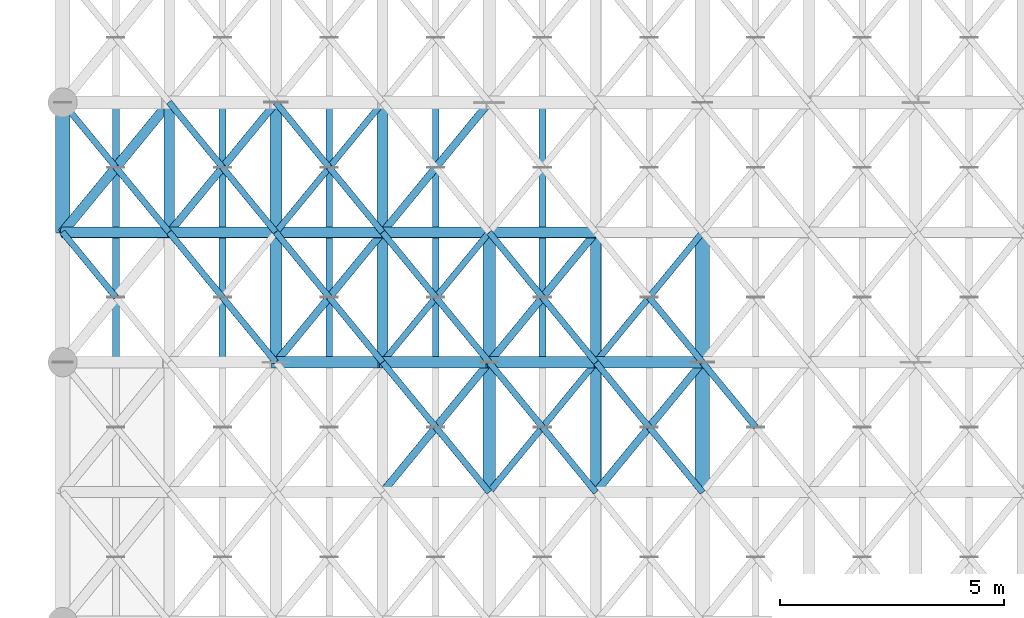
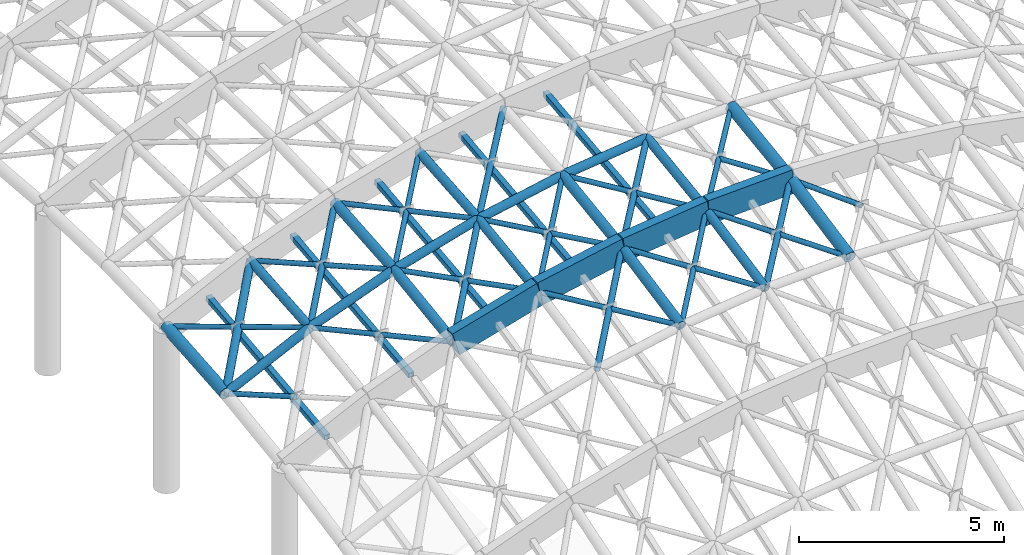
# One storey, part 38 of 146: 56 members, 4 beams.
"""IFC4 building model written with IfcOpenShell, lengths in metres."""

from ifc_helpers import new_model, si_unit, direction, frame, origin, origin_2d, place, context, subcontext, project, spatial, rectangle, hollow_rectangle, hollow_circle, extrude, material, material_profile, profile_set, type_object, element, save


model = new_model("IFC4")

# Units and contexts
model_context = context("Model", 3, precision=1e-05, world=origin(), true_north=direction((0.0, 1.0)))
body_context = subcontext(model_context, "Body", "Model", "MODEL_VIEW")
ifc_project = project(units=[si_unit("LENGTHUNIT", "METRE"), si_unit("AREAUNIT", "SQUARE_METRE"), si_unit("VOLUMEUNIT", "CUBIC_METRE"), si_unit("PLANEANGLEUNIT", "RADIAN"), si_unit("MASSUNIT", "GRAM", prefix="KILO")], contexts=[model_context])

# Site, building, storey
site_placement = place(None, origin())
site = spatial("IfcSite", under=ifc_project, at=site_placement, CompositionType="ELEMENT")
building_placement = place(site_placement, origin())
building = spatial("IfcBuilding", under=site, at=building_placement, Name="Valcora Specialist Clinic", CompositionType="ELEMENT")
storey_placement = place(building_placement, frame((0.0, 0.0, 9.52001953125)))
storey = spatial("IfcBuildingStorey", under=building, at=storey_placement, Name="L02", CompositionType="ELEMENT", Elevation=9.52001953125)

# Beams
ifc_material_1 = material(Name="Glulam Conifer Class 24F", Category="wood")
ifc_material_profile_1 = material_profile(ifc_material_1, rectangle(XDim=0.260009765625, YDim=0.719970703125, at=origin_2d()), Name="GL-ARC-260X720")
ifc_profile_set_1 = profile_set([ifc_material_profile_1], Name="Glulam Conifer Class 24F")
beam_type = type_object("IfcBeamType", Name="TY-AR-GL720", PredefinedType="JOIST", material=ifc_profile_set_1)
beam_1_placement = place(storey_placement, frame((5.5, 50.321044921875, 6.143798828125), z_axis=(0.961639501517, 0.0, 0.274316366849), x_axis=(0.0, 1.0, 0.0)))
element("IfcBeam", 1, at=beam_1_placement, inside=storey, type_object=beam_type, Name="Gridshell glulam arch chord BM-GSA-027", PredefinedType="JOIST", context=body_context, shape_type="SweptSolid", body=[
    extrude(rectangle(XDim=0.260009765625, YDim=0.719970703125, at=origin_2d()), origin(), (0.0, 0.0, 1.0), 2.4697265625),
])
beam_2_placement = place(storey_placement, frame((7.875, 50.321044921875, 6.8212890625), z_axis=(0.980592304853, 0.0, 0.19605798036), x_axis=(0.0, 1.0, 0.0)))
element("IfcBeam", 2, at=beam_2_placement, inside=storey, type_object=beam_type, Name="Gridshell glulam arch chord BM-GSA-028", PredefinedType="JOIST", context=body_context, shape_type="SweptSolid", body=[
    extrude(rectangle(XDim=0.260009765625, YDim=0.719970703125, at=origin_2d()), origin(), (0.0, 0.0, 1.0), 2.422119140625),
])
beam_3_placement = place(storey_placement, frame((10.25, 50.321044921875, 7.296142578125), z_axis=(0.993061123194, 0.0, 0.117599343536), x_axis=(0.0, 1.0, 0.0)))
element("IfcBeam", 3, at=beam_3_placement, inside=storey, type_object=beam_type, Name="Gridshell glulam arch chord BM-GSA-029", PredefinedType="JOIST", context=body_context, shape_type="SweptSolid", body=[
    extrude(rectangle(XDim=0.260009765625, YDim=0.719970703125, at=origin_2d()), origin(), (0.0, 0.0, 1.0), 2.3916015625),
])
beam_4_placement = place(storey_placement, frame((12.625, 50.321044921875, 7.577392578125), z_axis=(0.999229898969, 0.0, 0.039237851707), x_axis=(0.0, 1.0, 0.0)))
element("IfcBeam", 4, at=beam_4_placement, inside=storey, type_object=beam_type, Name="Gridshell glulam arch chord BM-GSA-030", PredefinedType="JOIST", context=body_context, shape_type="SweptSolid", body=[
    extrude(rectangle(XDim=0.260009765625, YDim=0.719970703125, at=origin_2d()), origin(), (0.0, 0.0, 1.0), 2.376708984375),
])

# Members
ifc_material_2 = material(Name="Steel ASTM A500 Grade C", Category="steel")
ifc_material_profile_2 = material_profile(ifc_material_2, hollow_circle(Radius=0.1220703125, WallThickness=0.010009765625, at=origin_2d()), Name="ST-CHS-244X10")
ifc_profile_set_2 = profile_set([ifc_material_profile_2], Name="Steel ASTM A500 Grade C")
member_type_1 = type_object("IfcMemberType", Name="TY-MB-GSC244", PredefinedType="CHORD", material=ifc_profile_set_2)
member_1_placement = place(storey_placement, frame((3.125, 53.214111328125, 5.654541015625), z_axis=(0.0, 0.99650678891, 0.083511793517), x_axis=(-1.0, 0.0, 0.0)))
element("IfcMember", 5, at=member_1_placement, inside=storey, type_object=member_type_1, Name="Gridshell longitudinal chord MB-L02-0020", PredefinedType="CHORD", context=body_context, shape_type="SweptSolid", body=[
    extrude(hollow_circle(Radius=0.1220703125, WallThickness=0.010009765625, at=origin_2d()), origin(), (0.0, 0.0, 1.0), 2.903076171875),
])
member_2_placement = place(storey_placement, frame((7.875, 50.321044921875, 6.8212890625), z_axis=(0.0, 0.990272777431, 0.139139592778), x_axis=(-1.0, 0.0, 0.0)))
element("IfcMember", 6, at=member_2_placement, inside=storey, type_object=member_type_1, Name="Gridshell longitudinal chord MB-L02-0047", PredefinedType="CHORD", context=body_context, shape_type="SweptSolid", body=[
    extrude(hollow_circle(Radius=0.1220703125, WallThickness=0.010009765625, at=origin_2d()), origin(), (0.0, 0.0, 1.0), 2.92138671875),
])
member_3_placement = place(storey_placement, frame((7.875, 53.214111328125, 7.227783203125), z_axis=(0.0, 0.99650678891, 0.083511793517), x_axis=(-1.0, 0.0, 0.0)))
element("IfcMember", 7, at=member_3_placement, inside=storey, type_object=member_type_1, Name="Gridshell longitudinal chord MB-L02-0048", PredefinedType="CHORD", context=body_context, shape_type="SweptSolid", body=[
    extrude(hollow_circle(Radius=0.1220703125, WallThickness=0.010009765625, at=origin_2d()), origin(), (0.0, 0.0, 1.0), 2.903076171875),
])
member_4_placement = place(storey_placement, frame((12.625, 47.428955078125, 7.003173828125), z_axis=(0.0, 0.980853597768, 0.194746552587), x_axis=(-1.0, 0.0, 0.0)))
element("IfcMember", 8, at=member_4_placement, inside=storey, type_object=member_type_1, Name="Gridshell longitudinal chord MB-L02-0074", PredefinedType="CHORD", context=body_context, shape_type="SweptSolid", body=[
    extrude(hollow_circle(Radius=0.1220703125, WallThickness=0.010009765625, at=origin_2d()), origin(), (0.0, 0.0, 1.0), 2.948486328125),
])
member_5_placement = place(storey_placement, frame((12.625, 50.321044921875, 7.577392578125), z_axis=(0.0, 0.990272777431, 0.139139592778), x_axis=(-1.0, 0.0, 0.0)))
element("IfcMember", 9, at=member_5_placement, inside=storey, type_object=member_type_1, Name="Gridshell longitudinal chord MB-L02-0075", PredefinedType="CHORD", context=body_context, shape_type="SweptSolid", body=[
    extrude(hollow_circle(Radius=0.1220703125, WallThickness=0.010009765625, at=origin_2d()), origin(), (0.0, 0.0, 1.0), 2.92138671875),
])
member_6_placement = place(storey_placement, frame((0.75, 53.214111328125, 4.519287109375), z_axis=(0.902225234529, 0.0, 0.431265146028), x_axis=(0.0, 1.0, 0.0)))
element("IfcMember", 10, at=member_6_placement, inside=storey, type_object=member_type_1, Name="Gridshell secondary transverse chord MB-L02-0291", PredefinedType="CHORD", context=body_context, shape_type="SweptSolid", body=[
    extrude(hollow_circle(Radius=0.1220703125, WallThickness=0.010009765625, at=origin_2d()), origin(), (0.0, 0.0, 1.0), 2.63232421875),
])
member_7_placement = place(storey_placement, frame((3.125, 53.214111328125, 5.654541015625), z_axis=(0.935695204238, 0.0, 0.352809417059), x_axis=(0.0, 1.0, 0.0)))
element("IfcMember", 11, at=member_7_placement, inside=storey, type_object=member_type_1, Name="Gridshell secondary transverse chord MB-L02-0292", PredefinedType="CHORD", context=body_context, shape_type="SweptSolid", body=[
    extrude(hollow_circle(Radius=0.1220703125, WallThickness=0.010009765625, at=origin_2d()), origin(), (0.0, 0.0, 1.0), 2.538330078125),
])
member_8_placement = place(storey_placement, frame((5.5, 53.214111328125, 6.550048828125), z_axis=(0.961613421173, 0.0, 0.274407777259), x_axis=(0.0, 1.0, 0.0)))
element("IfcMember", 12, at=member_8_placement, inside=storey, type_object=member_type_1, Name="Gridshell secondary transverse chord MB-L02-0293", PredefinedType="CHORD", context=body_context, shape_type="SweptSolid", body=[
    extrude(hollow_circle(Radius=0.1220703125, WallThickness=0.010009765625, at=origin_2d()), origin(), (0.0, 0.0, 1.0), 2.4697265625),
])
member_9_placement = place(storey_placement, frame((7.875, 53.214111328125, 7.227783203125), z_axis=(0.980592304853, 0.0, 0.19605798036), x_axis=(0.0, 1.0, 0.0)))
element("IfcMember", 13, at=member_9_placement, inside=storey, type_object=member_type_1, Name="Gridshell secondary transverse chord MB-L02-0294", PredefinedType="CHORD", context=body_context, shape_type="SweptSolid", body=[
    extrude(hollow_circle(Radius=0.1220703125, WallThickness=0.010009765625, at=origin_2d()), origin(), (0.0, 0.0, 1.0), 2.422119140625),
])
member_10_placement = place(storey_placement, frame((10.25, 53.214111328125, 7.70263671875), z_axis=(0.993061123194, 0.0, 0.117599343536), x_axis=(0.0, 1.0, 0.0)))
element("IfcMember", 14, at=member_10_placement, inside=storey, type_object=member_type_1, Name="Gridshell secondary transverse chord MB-L02-0295", PredefinedType="CHORD", context=body_context, shape_type="SweptSolid", body=[
    extrude(hollow_circle(Radius=0.1220703125, WallThickness=0.010009765625, at=origin_2d()), origin(), (0.0, 0.0, 1.0), 2.3916015625),
])
ifc_material_profile_3 = material_profile(ifc_material_2, hollow_circle(Radius=0.136474609375, WallThickness=0.011962890625, at=origin_2d()), Name="ST-CHS-273X12")
ifc_profile_set_3 = profile_set([ifc_material_profile_3], Name="Steel ASTM A500 Grade C")
member_type_2 = type_object("IfcMemberType", Name="TY-MB-GSC273", PredefinedType="CHORD", material=ifc_profile_set_3)
member_11_placement = place(storey_placement, frame((5.5, 50.321044921875, 6.143798828125), z_axis=(0.0, 0.990284288594, 0.139057641875), x_axis=(-1.0, 0.0, 0.0)))
element("IfcMember", 15, at=member_11_placement, inside=storey, type_object=member_type_2, Name="Gridshell longitudinal chord MB-L02-0033", PredefinedType="CHORD", context=body_context, shape_type="SweptSolid", body=[
    extrude(hollow_circle(Radius=0.136474609375, WallThickness=0.011962890625, at=origin_2d()), origin(), (0.0, 0.0, 1.0), 2.92138671875),
])
member_12_placement = place(storey_placement, frame((5.5, 53.214111328125, 6.550048828125), z_axis=(0.0, 0.99650678891, 0.083511793517), x_axis=(-1.0, 0.0, 0.0)))
element("IfcMember", 16, at=member_12_placement, inside=storey, type_object=member_type_2, Name="Gridshell longitudinal chord MB-L02-0034", PredefinedType="CHORD", context=body_context, shape_type="SweptSolid", body=[
    extrude(hollow_circle(Radius=0.136474609375, WallThickness=0.011962890625, at=origin_2d()), origin(), (0.0, 0.0, 1.0), 2.903076171875),
])
member_13_placement = place(storey_placement, frame((10.25, 47.428955078125, 6.7216796875), z_axis=(0.0, 0.980837778433, 0.194826210759), x_axis=(-1.0, 0.0, 0.0)))
element("IfcMember", 17, at=member_13_placement, inside=storey, type_object=member_type_2, Name="Gridshell longitudinal chord MB-L02-0060", PredefinedType="CHORD", context=body_context, shape_type="SweptSolid", body=[
    extrude(hollow_circle(Radius=0.136474609375, WallThickness=0.011962890625, at=origin_2d()), origin(), (0.0, 0.0, 1.0), 2.948486328125),
])
member_14_placement = place(storey_placement, frame((10.25, 50.321044921875, 7.296142578125), z_axis=(0.0, 0.990272777431, 0.139139592778), x_axis=(-1.0, 0.0, 0.0)))
element("IfcMember", 18, at=member_14_placement, inside=storey, type_object=member_type_2, Name="Gridshell longitudinal chord MB-L02-0061", PredefinedType="CHORD", context=body_context, shape_type="SweptSolid", body=[
    extrude(hollow_circle(Radius=0.136474609375, WallThickness=0.011962890625, at=origin_2d()), origin(), (0.0, 0.0, 1.0), 2.92138671875),
])
ifc_material_profile_4 = material_profile(ifc_material_2, hollow_circle(Radius=0.162109375, WallThickness=0.011962890625, at=origin_2d()), Name="ST-CHS-324X12")
ifc_profile_set_4 = profile_set([ifc_material_profile_4], Name="Steel ASTM A500 Grade C")
member_type_3 = type_object("IfcMemberType", Name="TY-MB-GSC324", PredefinedType="CHORD", material=ifc_profile_set_4)
member_15_placement = place(storey_placement, frame((0.75, 53.214111328125, 4.519287109375), z_axis=(0.0, 0.996513784309, 0.083428278676), x_axis=(-1.0, 0.0, 0.0)))
element("IfcMember", 19, at=member_15_placement, inside=storey, type_object=member_type_3, Name="Gridshell longitudinal chord MB-L02-0006", PredefinedType="CHORD", context=body_context, shape_type="SweptSolid", body=[
    extrude(hollow_circle(Radius=0.162109375, WallThickness=0.011962890625, at=origin_2d()), origin(), (0.0, 0.0, 1.0), 2.90283203125),
])
member_16_placement = place(storey_placement, frame((15.0, 47.428955078125, 7.09619140625), z_axis=(0.0, 0.980837778433, 0.194826210759), x_axis=(-1.0, 0.0, 0.0)))
element("IfcMember", 20, at=member_16_placement, inside=storey, type_object=member_type_3, Name="Gridshell longitudinal chord MB-L02-0088", PredefinedType="CHORD", context=body_context, shape_type="SweptSolid", body=[
    extrude(hollow_circle(Radius=0.162109375, WallThickness=0.011962890625, at=origin_2d()), origin(), (0.0, 0.0, 1.0), 2.948486328125),
])
member_17_placement = place(storey_placement, frame((15.0, 50.321044921875, 7.670654296875), z_axis=(0.0, 0.990272777431, 0.139139592778), x_axis=(-1.0, 0.0, 0.0)))
element("IfcMember", 21, at=member_17_placement, inside=storey, type_object=member_type_3, Name="Gridshell longitudinal chord MB-L02-0089", PredefinedType="CHORD", context=body_context, shape_type="SweptSolid", body=[
    extrude(hollow_circle(Radius=0.162109375, WallThickness=0.011962890625, at=origin_2d()), origin(), (0.0, 0.0, 1.0), 2.92138671875),
])
ifc_material_profile_5 = material_profile(ifc_material_2, hollow_circle(Radius=0.070068359375, WallThickness=0.006103515625, at=origin_2d()), Name="ST-CHS-140X6")
ifc_profile_set_5 = profile_set([ifc_material_profile_5], Name="Steel ASTM A500 Grade C")
member_type_4 = type_object("IfcMemberType", Name="TY-MB-GSD140", PredefinedType="BRACE", material=ifc_profile_set_5)
member_18_placement = place(storey_placement, frame((3.125, 53.214111328125, 5.654541015625), z_axis=(-0.617243411204, 0.751757805916, -0.232100781063), x_axis=(-0.772863356881, -0.634572479384, 0.0)))
element("IfcMember", 22, at=member_18_placement, inside=storey, type_object=member_type_4, Name="Gridshell split counter diagrid A MB-L02-0362", PredefinedType="BRACE", context=body_context, shape_type="SweptSolid", body=[
    extrude(hollow_circle(Radius=0.070068359375, WallThickness=0.006103515625, at=origin_2d()), origin(), (0.0, 0.0, 1.0), 1.923828125),
])
member_19_placement = place(storey_placement, frame((5.5, 50.321044921875, 6.143798828125), z_axis=(-0.629156590735, 0.766396546074, -0.129608327285), x_axis=(-0.772915884105, -0.634508499626, 0.0)))
element("IfcMember", 23, at=member_19_placement, inside=storey, type_object=member_type_4, Name="Gridshell split counter diagrid A MB-L02-0388", PredefinedType="BRACE", context=body_context, shape_type="SweptSolid", body=[
    extrude(hollow_circle(Radius=0.070068359375, WallThickness=0.006103515625, at=origin_2d()), origin(), (0.0, 0.0, 1.0), 1.887451171875),
])
member_20_placement = place(storey_placement, frame((5.5, 53.214111328125, 6.550048828125), z_axis=(-0.625119913311, 0.761350815472, -0.171959384048), x_axis=(-0.772863356881, -0.634572479384, 0.0)))
element("IfcMember", 24, at=member_20_placement, inside=storey, type_object=member_type_4, Name="Gridshell split counter diagrid A MB-L02-0390", PredefinedType="BRACE", context=body_context, shape_type="SweptSolid", body=[
    extrude(hollow_circle(Radius=0.070068359375, WallThickness=0.006103515625, at=origin_2d()), origin(), (0.0, 0.0, 1.0), 1.899658203125),
])
member_21_placement = place(storey_placement, frame((7.875, 50.321044921875, 6.8212890625), z_axis=(-0.63285205119, 0.770898109231, -0.072210708966), x_axis=(-0.772915884105, -0.634508499626, 0.0)))
element("IfcMember", 25, at=member_21_placement, inside=storey, type_object=member_type_4, Name="Gridshell split counter diagrid A MB-L02-0416", PredefinedType="BRACE", context=body_context, shape_type="SweptSolid", body=[
    extrude(hollow_circle(Radius=0.070068359375, WallThickness=0.006103515625, at=origin_2d()), origin(), (0.0, 0.0, 1.0), 1.87646484375),
])
member_22_placement = place(storey_placement, frame((5.5, 53.214111328125, 6.550048828125), z_axis=(0.616192355178, 0.750541037881, 0.238736532346), x_axis=(-0.772889622479, 0.634540488436, 0.0)))
element("IfcMember", 26, at=member_22_placement, inside=storey, type_object=member_type_4, Name="Gridshell primary diagrid MB-L02-0417", PredefinedType="BRACE", context=body_context, shape_type="SweptSolid", body=[
    extrude(hollow_circle(Radius=0.070068359375, WallThickness=0.006103515625, at=origin_2d()), origin(), (0.0, 0.0, 1.0), 3.854248046875),
])
member_23_placement = place(storey_placement, frame((7.875, 53.214111328125, 7.227783203125), z_axis=(-0.630328162974, 0.767694086648, -0.115465130183), x_axis=(-0.772863356881, -0.634572479384, 0.0)))
element("IfcMember", 27, at=member_23_placement, inside=storey, type_object=member_type_4, Name="Gridshell split counter diagrid A MB-L02-0418", PredefinedType="BRACE", context=body_context, shape_type="SweptSolid", body=[
    extrude(hollow_circle(Radius=0.070068359375, WallThickness=0.006103515625, at=origin_2d()), origin(), (0.0, 0.0, 1.0), 1.884033203125),
])
member_24_placement = place(storey_placement, frame((10.25, 47.428955078125, 6.7216796875), z_axis=(-0.634411775705, 0.772537201378, 0.026607730724), x_axis=(-0.772810813765, -0.634636467694, 0.0)))
element("IfcMember", 28, at=member_24_placement, inside=storey, type_object=member_type_4, Name="Gridshell split counter diagrid A MB-L02-0442", PredefinedType="BRACE", context=body_context, shape_type="SweptSolid", body=[
    extrude(hollow_circle(Radius=0.070068359375, WallThickness=0.006103515625, at=origin_2d()), origin(), (0.0, 0.0, 1.0), 1.871826171875),
])
member_25_placement = place(storey_placement, frame((7.875, 50.321044921875, 6.8212890625), z_axis=(0.617618322937, 0.752341398726, 0.229194299527), x_axis=(-0.772915884105, 0.634508499626, 0.0)))
element("IfcMember", 29, at=member_25_placement, inside=storey, type_object=member_type_4, Name="Gridshell primary diagrid MB-L02-0443", PredefinedType="BRACE", context=body_context, shape_type="SweptSolid", body=[
    extrude(hollow_circle(Radius=0.070068359375, WallThickness=0.006103515625, at=origin_2d()), origin(), (0.0, 0.0, 1.0), 3.845458984375),
])
member_26_placement = place(storey_placement, frame((10.25, 50.321044921875, 7.296142578125), z_axis=(-0.634402710105, 0.772787018374, -0.018259946426), x_axis=(-0.772915884105, -0.634508499626, 0.0)))
element("IfcMember", 30, at=member_26_placement, inside=storey, type_object=member_type_4, Name="Gridshell split counter diagrid A MB-L02-0444", PredefinedType="BRACE", context=body_context, shape_type="SweptSolid", body=[
    extrude(hollow_circle(Radius=0.070068359375, WallThickness=0.006103515625, at=origin_2d()), origin(), (0.0, 0.0, 1.0), 1.871826171875),
])
member_27_placement = place(storey_placement, frame((10.25, 47.428955078125, 6.7216796875), z_axis=(0.618668904494, 0.75336676014, 0.222906508044), x_axis=(-0.772810813765, 0.634636467694, 0.0)))
element("IfcMember", 31, at=member_27_placement, inside=storey, type_object=member_type_4, Name="Gridshell primary diagrid MB-L02-0469", PredefinedType="BRACE", context=body_context, shape_type="SweptSolid", body=[
    extrude(hollow_circle(Radius=0.070068359375, WallThickness=0.006103515625, at=origin_2d()), origin(), (0.0, 0.0, 1.0), 3.8388671875),
])
member_28_placement = place(storey_placement, frame((12.625, 47.428955078125, 7.003173828125), z_axis=(-0.632700626183, 0.770453496892, 0.078046952243), x_axis=(-0.772810813765, -0.634636467694, 0.0)))
element("IfcMember", 32, at=member_28_placement, inside=storey, type_object=member_type_4, Name="Gridshell split counter diagrid A MB-L02-0470", PredefinedType="BRACE", context=body_context, shape_type="SweptSolid", body=[
    extrude(hollow_circle(Radius=0.070068359375, WallThickness=0.006103515625, at=origin_2d()), origin(), (0.0, 0.0, 1.0), 1.876953125),
])
member_29_placement = place(storey_placement, frame((12.625, 50.321044921875, 7.577392578125), z_axis=(-0.634154981193, 0.772485251556, 0.033376577958), x_axis=(-0.772915884105, -0.634508499626, 0.0)))
element("IfcMember", 33, at=member_29_placement, inside=storey, type_object=member_type_4, Name="Gridshell split counter diagrid A MB-L02-0472", PredefinedType="BRACE", context=body_context, shape_type="SweptSolid", body=[
    extrude(hollow_circle(Radius=0.070068359375, WallThickness=0.006103515625, at=origin_2d()), origin(), (0.0, 0.0, 1.0), 1.87255859375),
])
member_30_placement = place(storey_placement, frame((15.0, 47.428955078125, 7.09619140625), z_axis=(-0.629448929236, 0.766493833854, 0.12759799429), x_axis=(-0.772810813765, -0.634636467694, 0.0)))
element("IfcMember", 34, at=member_30_placement, inside=storey, type_object=member_type_4, Name="Gridshell split counter diagrid A MB-L02-0498", PredefinedType="BRACE", context=body_context, shape_type="SweptSolid", body=[
    extrude(hollow_circle(Radius=0.070068359375, WallThickness=0.006103515625, at=origin_2d()), origin(), (0.0, 0.0, 1.0), 1.886474609375),
])
member_31_placement = place(storey_placement, frame((12.625, 50.321044921875, 7.577392578125), z_axis=(0.628927507882, 0.76611749264, 0.132341139868), x_axis=(-0.772915884105, 0.634508499626, 0.0)))
element("IfcMember", 35, at=member_31_placement, inside=storey, type_object=member_type_4, Name="Gridshell primary diagrid MB-L02-0499", PredefinedType="BRACE", context=body_context, shape_type="SweptSolid", body=[
    extrude(hollow_circle(Radius=0.070068359375, WallThickness=0.006103515625, at=origin_2d()), origin(), (0.0, 0.0, 1.0), 3.7763671875),
])
member_32_placement = place(storey_placement, frame((15.0, 50.321044921875, 7.670654296875), z_axis=(-0.632294956399, 0.770219493558, 0.083456694492), x_axis=(-0.772915884105, -0.634508499626, 0.0)))
element("IfcMember", 36, at=member_32_placement, inside=storey, type_object=member_type_4, Name="Gridshell split counter diagrid A MB-L02-0500", PredefinedType="BRACE", context=body_context, shape_type="SweptSolid", body=[
    extrude(hollow_circle(Radius=0.070068359375, WallThickness=0.006103515625, at=origin_2d()), origin(), (0.0, 0.0, 1.0), 1.878173828125),
])
member_33_placement = place(storey_placement, frame((1.9375, 51.767578125, 4.883544921875), z_axis=(-0.622821492509, 0.75867955245, -0.191046395317), x_axis=(-0.772915884105, -0.634508499626, 0.0)))
element("IfcMember", 37, at=member_33_placement, inside=storey, type_object=member_type_4, Name="Gridshell split counter diagrid B 5", PredefinedType="BRACE", context=body_context, shape_type="SweptSolid", body=[
    extrude(hollow_circle(Radius=0.070068359375, WallThickness=0.006103515625, at=origin_2d()), origin(), (0.0, 0.0, 1.0), 1.90673828125),
])
member_34_placement = place(storey_placement, frame((1.9375, 54.660400390625, 5.2080078125), z_axis=(-0.61718453066, 0.751812981941, -0.232078640333), x_axis=(-0.772915884105, -0.634508499626, 0.0)))
element("IfcMember", 38, at=member_34_placement, inside=storey, type_object=member_type_4, Name="Gridshell split counter diagrid B 6", PredefinedType="BRACE", context=body_context, shape_type="SweptSolid", body=[
    extrude(hollow_circle(Radius=0.070068359375, WallThickness=0.006103515625, at=origin_2d()), origin(), (0.0, 0.0, 1.0), 1.924072265625),
])
member_35_placement = place(storey_placement, frame((4.3125, 51.767578125, 5.899169921875), z_axis=(-0.629156590735, 0.766396546074, -0.129608327285), x_axis=(-0.772915884105, -0.634508499626, 0.0)))
element("IfcMember", 39, at=member_35_placement, inside=storey, type_object=member_type_4, Name="Gridshell split counter diagrid B 19", PredefinedType="BRACE", context=body_context, shape_type="SweptSolid", body=[
    extrude(hollow_circle(Radius=0.070068359375, WallThickness=0.006103515625, at=origin_2d()), origin(), (0.0, 0.0, 1.0), 1.887451171875),
])
member_36_placement = place(storey_placement, frame((4.3125, 54.660400390625, 6.223388671875), z_axis=(-0.625072556521, 0.761421648312, -0.171817847054), x_axis=(-0.772915884105, -0.634508499626, 0.0)))
element("IfcMember", 40, at=member_36_placement, inside=storey, type_object=member_type_4, Name="Gridshell split counter diagrid B 20", PredefinedType="BRACE", context=body_context, shape_type="SweptSolid", body=[
    extrude(hollow_circle(Radius=0.070068359375, WallThickness=0.006103515625, at=origin_2d()), origin(), (0.0, 0.0, 1.0), 1.899658203125),
])
member_37_placement = place(storey_placement, frame((6.6875, 51.767578125, 6.685791015625), z_axis=(-0.632846100088, 0.770890859996, -0.072340138086), x_axis=(-0.772915884105, -0.634508499626, 0.0)))
element("IfcMember", 41, at=member_37_placement, inside=storey, type_object=member_type_4, Name="Gridshell split counter diagrid B 33", PredefinedType="BRACE", context=body_context, shape_type="SweptSolid", body=[
    extrude(hollow_circle(Radius=0.070068359375, WallThickness=0.006103515625, at=origin_2d()), origin(), (0.0, 0.0, 1.0), 1.87646484375),
])
member_38_placement = place(storey_placement, frame((6.6875, 54.660400390625, 7.01025390625), z_axis=(-0.630256024321, 0.767735802653, -0.115581491302), x_axis=(-0.772915884105, -0.634508499626, 0.0)))
element("IfcMember", 42, at=member_38_placement, inside=storey, type_object=member_type_4, Name="Gridshell split counter diagrid B 34", PredefinedType="BRACE", context=body_context, shape_type="SweptSolid", body=[
    extrude(hollow_circle(Radius=0.070068359375, WallThickness=0.006103515625, at=origin_2d()), origin(), (0.0, 0.0, 1.0), 1.884033203125),
])
for number, where, z_axis, x_axis, name in (
    (43, (9.0625, 48.875, 6.771484375), (-0.634411775705, 0.772537201378, 0.026607730724), (-0.772810813765, -0.634636467694, 0.0), "Gridshell split counter diagrid B 46"),
    (44, (9.0625, 51.767578125, 7.261962890625), (-0.634402710105, 0.772787018374, -0.018259946426), (-0.772915884105, -0.634508499626, 0.0), "Gridshell split counter diagrid B 47"),
):
    element("IfcMember", number, at=place(storey_placement, frame(where, z_axis=z_axis, x_axis=x_axis)), inside=storey, type_object=member_type_4, Name=name, PredefinedType="BRACE", context=body_context, shape_type="SweptSolid", body=[
        extrude(hollow_circle(Radius=0.070068359375, WallThickness=0.006103515625, at=origin_2d()), origin(), (0.0, 0.0, 1.0), 1.871826171875),
    ])
member_39_placement = place(storey_placement, frame((11.4375, 48.875, 7.149658203125), z_axis=(-0.632700626183, 0.770453496892, 0.078046952243), x_axis=(-0.772810813765, -0.634636467694, 0.0)))
element("IfcMember", 45, at=member_39_placement, inside=storey, type_object=member_type_4, Name="Gridshell split counter diagrid B 60", PredefinedType="BRACE", context=body_context, shape_type="SweptSolid", body=[
    extrude(hollow_circle(Radius=0.070068359375, WallThickness=0.006103515625, at=origin_2d()), origin(), (0.0, 0.0, 1.0), 1.876953125),
])
member_40_placement = place(storey_placement, frame((11.4375, 51.767578125, 7.639892578125), z_axis=(-0.634152216266, 0.772481883507, 0.033506809124), x_axis=(-0.772915884105, -0.634508499626, 0.0)))
element("IfcMember", 46, at=member_40_placement, inside=storey, type_object=member_type_4, Name="Gridshell split counter diagrid B 61", PredefinedType="BRACE", context=body_context, shape_type="SweptSolid", body=[
    extrude(hollow_circle(Radius=0.070068359375, WallThickness=0.006103515625, at=origin_2d()), origin(), (0.0, 0.0, 1.0), 1.87255859375),
])
member_41_placement = place(storey_placement, frame((13.8125, 48.875, 7.3369140625), z_axis=(-0.629459317949, 0.766506484419, 0.127470688359), x_axis=(-0.772810813765, -0.634636467694, 0.0)))
element("IfcMember", 47, at=member_41_placement, inside=storey, type_object=member_type_4, Name="Gridshell split counter diagrid B 74", PredefinedType="BRACE", context=body_context, shape_type="SweptSolid", body=[
    extrude(hollow_circle(Radius=0.070068359375, WallThickness=0.006103515625, at=origin_2d()), origin(), (0.0, 0.0, 1.0), 1.886474609375),
])
member_42_placement = place(storey_placement, frame((16.1875, 48.875, 7.3369140625), z_axis=(-0.624776374395, 0.760803960844, 0.175589906209), x_axis=(-0.772810813765, -0.634636467694, 0.0)))
element("IfcMember", 48, at=member_42_placement, inside=storey, type_object=member_type_4, Name="Gridshell split counter diagrid B 88", PredefinedType="BRACE", context=body_context, shape_type="SweptSolid", body=[
    extrude(hollow_circle(Radius=0.070068359375, WallThickness=0.006103515625, at=origin_2d()), origin(), (0.0, 0.0, 1.0), 1.900634765625),
])
ifc_material_profile_6 = material_profile(ifc_material_2, hollow_circle(Radius=0.083984375, WallThickness=0.008056640625, at=origin_2d()), Name="ST-CHS-168X8")
ifc_profile_set_6 = profile_set([ifc_material_profile_6], Name="Steel ASTM A500 Grade C")
member_type_5 = type_object("IfcMemberType", Name="TY-MB-GSD168", PredefinedType="BRACE", material=ifc_profile_set_6)
member_43_placement = place(storey_placement, frame((3.125, 53.214111328125, 5.654541015625), z_axis=(0.607102216571, 0.739468972466, 0.29088234287), x_axis=(-0.772889622479, 0.634540488436, 0.0)))
element("IfcMember", 49, at=member_43_placement, inside=storey, type_object=member_type_5, Name="Gridshell primary diagrid MB-L02-0389", PredefinedType="BRACE", context=body_context, shape_type="SweptSolid", body=[
    extrude(hollow_circle(Radius=0.083984375, WallThickness=0.008056640625, at=origin_2d()), origin(), (0.0, 0.0, 1.0), 3.912109375),
])
member_44_placement = place(storey_placement, frame((5.5, 50.321044921875, 6.143798828125), z_axis=(0.609465809075, 0.742410550734, 0.278169016477), x_axis=(-0.772915884105, 0.634508499626, 0.0)))
element("IfcMember", 50, at=member_44_placement, inside=storey, type_object=member_type_5, Name="Gridshell primary diagrid MB-L02-0415", PredefinedType="BRACE", context=body_context, shape_type="SweptSolid", body=[
    extrude(hollow_circle(Radius=0.083984375, WallThickness=0.008056640625, at=origin_2d()), origin(), (0.0, 0.0, 1.0), 3.89697265625),
])
member_45_placement = place(storey_placement, frame((7.875, 47.428955078125, 6.2470703125), z_axis=(0.611079979619, 0.744125559063, 0.269922972083), x_axis=(-0.772810813765, 0.634636467694, 0.0)))
element("IfcMember", 51, at=member_45_placement, inside=storey, type_object=member_type_5, Name="Gridshell primary diagrid MB-L02-0441", PredefinedType="BRACE", context=body_context, shape_type="SweptSolid", body=[
    extrude(hollow_circle(Radius=0.083984375, WallThickness=0.008056640625, at=origin_2d()), origin(), (0.0, 0.0, 1.0), 3.886474609375),
])
member_46_placement = place(storey_placement, frame((7.875, 53.214111328125, 7.227783203125), z_axis=(0.623199816396, 0.759076338864, 0.188215569549), x_axis=(-0.772889622479, 0.634540488436, 0.0)))
element("IfcMember", 52, at=member_46_placement, inside=storey, type_object=member_type_5, Name="Gridshell primary diagrid MB-L02-0445", PredefinedType="BRACE", context=body_context, shape_type="SweptSolid", body=[
    extrude(hollow_circle(Radius=0.083984375, WallThickness=0.008056640625, at=origin_2d()), origin(), (0.0, 0.0, 1.0), 3.81103515625),
])
member_47_placement = place(storey_placement, frame((10.25, 50.321044921875, 7.296142578125), z_axis=(0.624061798341, 0.760190410192, 0.18071361903), x_axis=(-0.772915884105, 0.634508499626, 0.0)))
element("IfcMember", 53, at=member_47_placement, inside=storey, type_object=member_type_5, Name="Gridshell primary diagrid MB-L02-0471", PredefinedType="BRACE", context=body_context, shape_type="SweptSolid", body=[
    extrude(hollow_circle(Radius=0.083984375, WallThickness=0.008056640625, at=origin_2d()), origin(), (0.0, 0.0, 1.0), 3.8056640625),
])
member_48_placement = place(storey_placement, frame((12.625, 47.428955078125, 7.003173828125), z_axis=(0.624776374395, 0.760803960844, 0.175589906209), x_axis=(-0.772810813765, 0.634636467694, 0.0)))
element("IfcMember", 54, at=member_48_placement, inside=storey, type_object=member_type_5, Name="Gridshell primary diagrid MB-L02-0497", PredefinedType="BRACE", context=body_context, shape_type="SweptSolid", body=[
    extrude(hollow_circle(Radius=0.083984375, WallThickness=0.008056640625, at=origin_2d()), origin(), (0.0, 0.0, 1.0), 3.80126953125),
])
ifc_material_profile_7 = material_profile(ifc_material_2, hollow_circle(Radius=0.109619140625, WallThickness=0.010009765625, at=origin_2d()), Name="ST-CHS-219X10")
ifc_profile_set_7 = profile_set([ifc_material_profile_7], Name="Steel ASTM A500 Grade C")
member_type_6 = type_object("IfcMemberType", Name="TY-MB-GSD219", PredefinedType="BRACE", material=ifc_profile_set_7)
member_49_placement = place(storey_placement, frame((0.75, 53.214111328125, 4.519287109375), z_axis=(0.59548196346, 0.7253151506, 0.345426060835), x_axis=(-0.772889622479, 0.634540488436, 0.0)))
element("IfcMember", 55, at=member_49_placement, inside=storey, type_object=member_type_6, Name="Gridshell primary diagrid MB-L02-0361", PredefinedType="BRACE", context=body_context, shape_type="SweptSolid", body=[
    extrude(hollow_circle(Radius=0.109619140625, WallThickness=0.010009765625, at=origin_2d()), origin(), (0.0, 0.0, 1.0), 3.98828125),
])
ifc_material_profile_8 = material_profile(ifc_material_2, hollow_rectangle(XDim=0.14990234375, YDim=0.14990234375, WallThickness=0.006103515625, at=origin_2d()), Name="ST-RHS-150X150X6")
ifc_profile_set_8 = profile_set([ifc_material_profile_8], Name="Steel ASTM A500 Grade C")
member_type_7 = type_object("IfcMemberType", Name="TY-MB-PR150", PredefinedType="PURLIN", material=ifc_profile_set_8)
member_50_placement = place(storey_placement, frame((1.93798828125, 50.321044921875, 4.560302734375), z_axis=(0.0, 0.993769167561, 0.111457801906), x_axis=(-1.0, 0.0, 0.0)))
element("IfcMember", 56, at=member_50_placement, inside=storey, type_object=member_type_7, Name="Gridshell secondary purlin MB-L02-0185", PredefinedType="PURLIN", context=body_context, shape_type="SweptSolid", body=[
    extrude(hollow_rectangle(XDim=0.14990234375, YDim=0.14990234375, WallThickness=0.006103515625, at=origin_2d()), origin(), (0.0, 0.0, 1.0), 5.822265625),
])
member_51_placement = place(storey_placement, frame((4.31201171875, 50.321044921875, 5.575927734375), z_axis=(0.0, 0.993773811353, 0.111416389585), x_axis=(-1.0, 0.0, 0.0)))
element("IfcMember", 57, at=member_51_placement, inside=storey, type_object=member_type_7, Name="Gridshell secondary purlin MB-L02-0192", PredefinedType="PURLIN", context=body_context, shape_type="SweptSolid", body=[
    extrude(hollow_rectangle(XDim=0.14990234375, YDim=0.14990234375, WallThickness=0.006103515625, at=origin_2d()), origin(), (0.0, 0.0, 1.0), 5.822021484375),
])
for number, where, z_axis, x_axis, name in (
    (58, (6.68798828125, 50.321044921875, 6.362548828125), (0.0, 0.993769167561, 0.111457801906), (-1.0, 0.0, 0.0), "Gridshell secondary purlin MB-L02-0199"),
    (59, (9.06201171875, 50.321044921875, 6.938720703125), (0.0, 0.993769167561, 0.111457801906), (-1.0, 0.0, 0.0), "Gridshell secondary purlin MB-L02-0206"),
):
    element("IfcMember", number, at=place(storey_placement, frame(where, z_axis=z_axis, x_axis=x_axis)), inside=storey, type_object=member_type_7, Name=name, PredefinedType="PURLIN", context=body_context, shape_type="SweptSolid", body=[
        extrude(hollow_rectangle(XDim=0.14990234375, YDim=0.14990234375, WallThickness=0.006103515625, at=origin_2d()), origin(), (0.0, 0.0, 1.0), 5.822265625),
    ])
member_52_placement = place(storey_placement, frame((11.43798828125, 50.321044921875, 7.31689453125), z_axis=(0.0, 0.993773811353, 0.111416389585), x_axis=(-1.0, 0.0, 0.0)))
element("IfcMember", 60, at=member_52_placement, inside=storey, type_object=member_type_7, Name="Gridshell secondary purlin MB-L02-0213", PredefinedType="PURLIN", context=body_context, shape_type="SweptSolid", body=[
    extrude(hollow_rectangle(XDim=0.14990234375, YDim=0.14990234375, WallThickness=0.006103515625, at=origin_2d()), origin(), (0.0, 0.0, 1.0), 5.822021484375),
])

save(model, "model.ifc")
